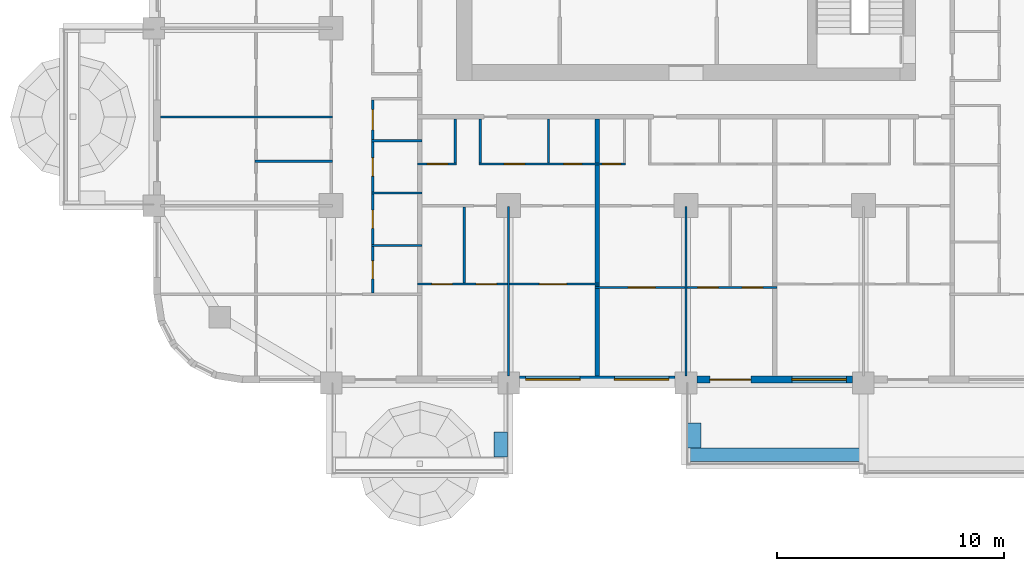
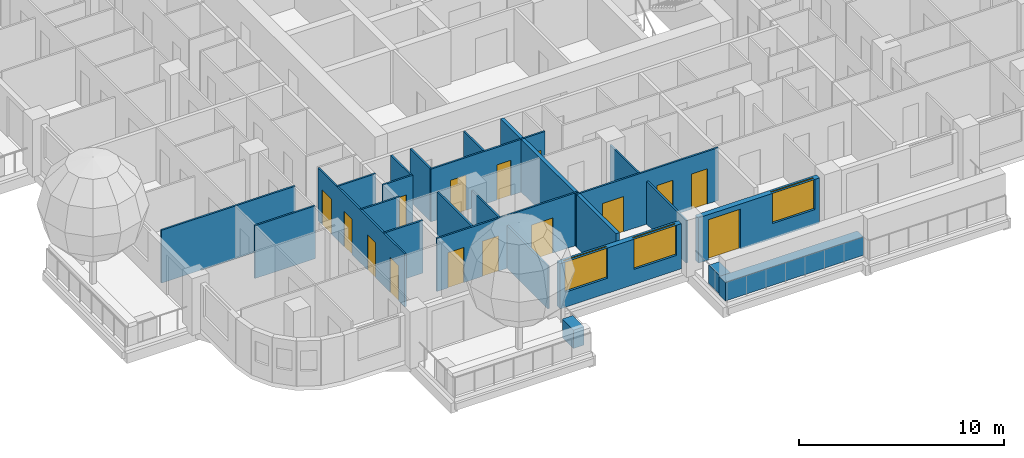
# One storey, part 3 of 19: 22 walls, 15 doors, 3 windows, 18 openings.
"""IFC4 building model written with IfcOpenShell, lengths in metres."""

from ifc_helpers import new_model, si_unit, direction, frame, frame_2d, origin, place, context, subcontext, project, spatial, rectangle, extrude, material, layer, layer_set, type_object, element, fill, save


model = new_model("IFC4")

# Units and contexts
model_context = context("Model", 3, precision=1e-05, world=origin(), true_north=direction((0.0, 1.0)))
body_context = subcontext(model_context, "Body", "Model", "MODEL_VIEW")
ifc_project = project(units=[si_unit("LENGTHUNIT", "METRE"), si_unit("AREAUNIT", "SQUARE_METRE"), si_unit("VOLUMEUNIT", "CUBIC_METRE"), si_unit("PLANEANGLEUNIT", "RADIAN"), si_unit("MASSUNIT", "GRAM", prefix="KILO")], contexts=[model_context])

# Site, building, storey
site_placement = place(None, origin())
site = spatial("IfcSite", under=ifc_project, at=site_placement, CompositionType="ELEMENT")
building_placement = place(site_placement, origin())
building = spatial("IfcBuilding", under=site, at=building_placement, Name="Ludao Terraces", CompositionType="ELEMENT")
storey_placement = place(building_placement, frame((0.0, 0.0, 81.800048828125)))
storey = spatial("IfcBuildingStorey", under=building, at=storey_placement, Name="L22", CompositionType="ELEMENT", Elevation=81.800048828125)

# Walls
ifc_material_1 = material(Name="Concrete C40", Category="concrete")
ifc_layer_1 = layer(ifc_material_1, 0.60009765625)
ifc_layer_set_1 = layer_set([ifc_layer_1], Name="ENV Planter trough 600")
wall_type_1 = type_object("IfcWallType", Name="ENV Planter trough 600", PredefinedType="USERDEFINED", material=ifc_layer_set_1)
wall_1_placement = place(storey_placement, frame((76.85009765625, 38.35009765625, 0.0), z_axis=(0.0, 0.0, 1.0), x_axis=(0.0, 1.0, 0.0)))
element("IfcWall", 1, at=wall_1_placement, inside=storey, type_object=wall_type_1, Name="PL-L22-S1-SB", ObjectType="PLANTER", PredefinedType="USERDEFINED", context=body_context, shape_type="SweptSolid", body=[
    extrude(rectangle(XDim=1.099853515625, YDim=0.60009765625, at=frame_2d((0.5498046875, 0.0))), origin(), (0.0, 0.0, 1.0), 1.099853515625),
])
wall_2_placement = place(storey_placement, frame((85.0, 38.449951171875, 0.0), z_axis=(0.0, 0.0, 1.0), x_axis=(1.0, 0.0, 0.0)))
element("IfcWall", 2, at=wall_2_placement, inside=storey, type_object=wall_type_1, Name="PL-L22-S3", ObjectType="PLANTER", PredefinedType="USERDEFINED", context=body_context, shape_type="SweptSolid", body=[
    extrude(rectangle(XDim=7.800048828125, YDim=0.60009765625, at=frame_2d((3.89990234375, 0.0))), origin(), (0.0, 0.0, 1.0), 1.099853515625),
])
wall_3_placement = place(storey_placement, frame((85.35009765625, 38.75, 0.0), z_axis=(0.0, 0.0, 1.0), x_axis=(0.0, 1.0, 0.0)))
element("IfcWall", 3, at=wall_3_placement, inside=storey, type_object=wall_type_1, Name="PL-L22-S3-SA", ObjectType="PLANTER", PredefinedType="USERDEFINED", context=body_context, shape_type="SweptSolid", body=[
    extrude(rectangle(XDim=1.10009765625, YDim=0.60009765625, at=frame_2d((0.550048828125, 0.0))), origin(), (0.0, 0.0, 1.0), 1.099853515625),
])

# Wall, openings, windows
ifc_material_2 = material(Name="Granite cladding", Category="masonry")
ifc_layer_2 = layer(ifc_material_2, 0.0400390625, Category="stone")
ifc_material_3 = material(Name="Mineral wool")
ifc_layer_3 = layer(ifc_material_3, 0.06005859375)
ifc_layer_4 = layer(ifc_material_1, 0.199951171875, Category="concrete")
ifc_layer_set_2 = layer_set([ifc_layer_2, ifc_layer_3, ifc_layer_4], Name="ENV Stone-clad wall 300")
wall_type_2 = type_object("IfcWallType", Name="ENV Stone-clad wall 300", PredefinedType="SOLIDWALL", material=ifc_layer_set_2)
wall_4_placement = place(storey_placement, frame((77.675048828125, 41.75, 0.0), z_axis=(0.0, 0.0, 1.0), x_axis=(1.0, 0.0, 0.0)))
wall_4 = element("IfcWall", 4, at=wall_4_placement, inside=storey, type_object=wall_type_2, Name="EW-L22-S3", PredefinedType="SOLIDWALL", context=body_context, shape_type="SweptSolid", body=[
    extrude(rectangle(XDim=6.849853515625, YDim=0.300048828125, at=frame_2d((3.4248046875, 0.0))), origin(), (0.0, 0.0, 1.0), 2.699951171875),
])
opening_1_placement = place(wall_4_placement, frame((0.27490234375, 0.0, 0.89990234375)))
opening_1 = element("IfcOpeningElement", 5, at=opening_1_placement, cuts=wall_4, Name="Opening W1", PredefinedType="OPENING", context=body_context, shape_type="SweptSolid", body=[
    extrude(rectangle(XDim=2.39990234375, YDim=1.800048828125, at=frame_2d((1.199951171875, 0.89990234375))), frame((0.0, 0.16015625, 0.0), z_axis=(0.0, -1.0, 0.0), x_axis=(1.0, 0.0, 0.0)), (0.0, 0.0, 1.0), 0.320068359375),
])
opening_2_placement = place(wall_4_placement, frame((4.175048828125, 0.0, 0.89990234375)))
opening_2 = element("IfcOpeningElement", 6, at=opening_2_placement, cuts=wall_4, Name="Opening W1", PredefinedType="OPENING", context=body_context, shape_type="SweptSolid", body=[
    extrude(rectangle(XDim=2.39990234375, YDim=1.800048828125, at=frame_2d((1.199951171875, 0.89990234375))), frame((0.0, 0.16015625, 0.0), z_axis=(0.0, -1.0, 0.0), x_axis=(1.0, 0.0, 0.0)), (0.0, 0.0, 1.0), 0.320068359375),
])
ifc_material_4 = material(Name="Clear glass in aluminium frame", Category="aluminium")
ifc_layer_5 = layer(ifc_material_4, 0.06005859375)
ifc_layer_set_3 = layer_set([ifc_layer_5], Name="ENV Window W1 2400x1800")
window_type = type_object("IfcWindowType", Name="ENV Window W1 2400x1800", PartitioningType="DOUBLE_PANEL_VERTICAL", PredefinedType="WINDOW", material=ifc_layer_set_3)
window_1_placement = place(opening_1_placement, origin())
window_1 = element("IfcWindow", 7, at=window_1_placement, inside=storey, type_object=window_type, Name="W-L22-S3-1", OverallHeight=1.800048828125, OverallWidth=2.39990234375, PartitioningType="DOUBLE_PANEL_VERTICAL", PredefinedType="WINDOW", context=body_context, shape_type="SweptSolid", body=[
    extrude(rectangle(XDim=2.39990234375, YDim=1.800048828125, at=frame_2d((1.199951171875, 0.89990234375))), frame((0.0, 0.030029296875, 0.0), z_axis=(0.0, -1.0, 0.0), x_axis=(1.0, 0.0, 0.0)), (0.0, 0.0, 1.0), 0.06005859375),
])
fill(opening_1, window_1)
window_2_placement = place(opening_2_placement, origin())
window_2 = element("IfcWindow", 8, at=window_2_placement, inside=storey, type_object=window_type, Name="W-L22-S3-2", OverallHeight=1.800048828125, OverallWidth=2.39990234375, PartitioningType="DOUBLE_PANEL_VERTICAL", PredefinedType="WINDOW", context=body_context, shape_type="SweptSolid", body=[
    extrude(rectangle(XDim=2.39990234375, YDim=1.800048828125, at=frame_2d((1.199951171875, 0.89990234375))), frame((0.0, 0.030029296875, 0.0), z_axis=(0.0, -1.0, 0.0), x_axis=(1.0, 0.0, 0.0)), (0.0, 0.0, 1.0), 0.06005859375),
])
fill(opening_2, window_2)

# Wall, openings, door, window
wall_5_placement = place(storey_placement, frame((85.47509765625, 41.75, 0.0), z_axis=(0.0, 0.0, 1.0), x_axis=(1.0, 0.0, 0.0)))
wall_5 = element("IfcWall", 9, at=wall_5_placement, inside=storey, type_object=wall_type_2, Name="EW-L22-S4", PredefinedType="SOLIDWALL", context=body_context, shape_type="SweptSolid", body=[
    extrude(rectangle(XDim=6.849853515625, YDim=0.300048828125, at=frame_2d((3.4248046875, 0.0))), origin(), (0.0, 0.0, 1.0), 2.699951171875),
])
opening_3_placement = place(wall_5_placement, frame((0.574951171875, 0.0, 0.0)))
opening_3 = element("IfcOpeningElement", 10, at=opening_3_placement, cuts=wall_5, Name="Opening BD", PredefinedType="OPENING", context=body_context, shape_type="SweptSolid", body=[
    extrude(rectangle(XDim=1.800048828125, YDim=2.39990234375, at=frame_2d((0.89990234375, 1.199951171875))), frame((0.0, 0.16015625, 0.0), z_axis=(0.0, -1.0, 0.0), x_axis=(1.0, 0.0, 0.0)), (0.0, 0.0, 1.0), 0.320068359375),
])
opening_4_placement = place(wall_5_placement, frame((4.175048828125, 0.0, 0.89990234375)))
opening_4 = element("IfcOpeningElement", 11, at=opening_4_placement, cuts=wall_5, Name="Opening W1", PredefinedType="OPENING", context=body_context, shape_type="SweptSolid", body=[
    extrude(rectangle(XDim=2.39990234375, YDim=1.800048828125, at=frame_2d((1.199951171875, 0.89990234375))), frame((0.0, 0.16015625, 0.0), z_axis=(0.0, -1.0, 0.0), x_axis=(1.0, 0.0, 0.0)), (0.0, 0.0, 1.0), 0.320068359375),
])
ifc_material_5 = material(Name="Aluminium glazed door", Category="aluminium")
ifc_layer_6 = layer(ifc_material_5, 0.06005859375)
ifc_layer_set_4 = layer_set([ifc_layer_6], Name="ENV Balcony door BD 1800x2400")
door_type_1 = type_object("IfcDoorType", Name="ENV Balcony door BD 1800x2400", OperationType="DOUBLE_DOOR_SINGLE_SWING", PredefinedType="DOOR", material=ifc_layer_set_4)
door_1_placement = place(opening_3_placement, origin())
door_1 = element("IfcDoor", 12, at=door_1_placement, inside=storey, type_object=door_type_1, Name="BD-L22-S4-1", OperationType="DOUBLE_DOOR_SINGLE_SWING", OverallHeight=2.39990234375, OverallWidth=1.800048828125, PredefinedType="DOOR", context=body_context, shape_type="SweptSolid", body=[
    extrude(rectangle(XDim=1.800048828125, YDim=2.39990234375, at=frame_2d((0.89990234375, 1.199951171875))), frame((0.0, 0.02490234375, 0.0), z_axis=(0.0, -1.0, 0.0), x_axis=(1.0, 0.0, 0.0)), (0.0, 0.0, 1.0), 0.050048828125),
])
fill(opening_3, door_1)
window_3_placement = place(opening_4_placement, origin())
window_3 = element("IfcWindow", 13, at=window_3_placement, inside=storey, type_object=window_type, Name="W-L22-S4-2", OverallHeight=1.800048828125, OverallWidth=2.39990234375, PartitioningType="DOUBLE_PANEL_VERTICAL", PredefinedType="WINDOW", context=body_context, shape_type="SweptSolid", body=[
    extrude(rectangle(XDim=2.39990234375, YDim=1.800048828125, at=frame_2d((1.199951171875, 0.89990234375))), frame((0.0, 0.030029296875, 0.0), z_axis=(0.0, -1.0, 0.0), x_axis=(1.0, 0.0, 0.0)), (0.0, 0.0, 1.0), 0.06005859375),
])
fill(opening_4, window_3)

# Wall, openings, doors
ifc_material_6 = material(Name="Gypsum plasterboard", Category="gypsum")
ifc_layer_7 = layer(ifc_material_6, 0.012451171875, Category="gypsum")
ifc_layer_8 = layer(ifc_material_3, 0.06005859375, Name="insulation")
ifc_material_7 = material(Name="Steel Q235", Category="steel")
ifc_layer_9 = layer(ifc_material_7, 0.014892578125, Name="stud")
ifc_layer_10 = layer(ifc_material_6, 0.012451171875, Category="gypsum")
ifc_layer_set_5 = layer_set([ifc_layer_7, ifc_layer_8, ifc_layer_9, ifc_layer_10], Name="INT Partition 100")
wall_type_3 = type_object("IfcWallType", Name="INT Partition 100", PredefinedType="PARTITIONING", material=ifc_layer_set_5)
wall_6_placement = place(storey_placement, frame((81.0, 45.800048828125, 0.0), z_axis=(0.0, 0.0, 1.0), x_axis=(1.0, 0.0, 0.0)))
wall_6 = element("IfcWall", 14, at=wall_6_placement, inside=storey, type_object=wall_type_3, Name="PW-L22-PW002", PredefinedType="PARTITIONING", context=body_context, shape_type="SweptSolid", body=[
    extrude(rectangle(XDim=8.0, YDim=0.10009765625, at=frame_2d((4.0, 0.0))), origin(), (0.0, 0.0, 1.0), 3.14990234375),
])
opening_5_placement = place(wall_6_placement, frame((1.4501953125, 0.0, 0.0)))
opening_5 = element("IfcOpeningElement", 15, at=opening_5_placement, cuts=wall_6, Name="Opening R06-007", PredefinedType="OPENING", context=body_context, shape_type="SweptSolid", body=[
    extrude(rectangle(XDim=1.199951171875, YDim=2.10009765625, at=frame_2d((0.60009765625, 1.050048828125))), frame((0.0, 0.06005859375, 0.0), z_axis=(0.0, -1.0, 0.0), x_axis=(1.0, 0.0, 0.0)), (0.0, 0.0, 1.0), 0.1201171875),
])
opening_6_placement = place(wall_6_placement, frame((4.525146484375, 0.0, 0.0)))
opening_6 = element("IfcOpeningElement", 16, at=opening_6_placement, cuts=wall_6, Name="Opening R06-008", PredefinedType="OPENING", context=body_context, shape_type="SweptSolid", body=[
    extrude(rectangle(XDim=0.89990234375, YDim=2.10009765625, at=frame_2d((0.449951171875, 1.050048828125))), frame((0.0, 0.06005859375, 0.0), z_axis=(0.0, -1.0, 0.0), x_axis=(1.0, 0.0, 0.0)), (0.0, 0.0, 1.0), 0.1201171875),
])
opening_7_placement = place(wall_6_placement, frame((6.47509765625, 0.0, 0.0)))
opening_7 = element("IfcOpeningElement", 17, at=opening_7_placement, cuts=wall_6, Name="Opening R06-009", PredefinedType="OPENING", context=body_context, shape_type="SweptSolid", body=[
    extrude(rectangle(XDim=0.89990234375, YDim=2.10009765625, at=frame_2d((0.449951171875, 1.050048828125))), frame((0.0, 0.06005859375, 0.0), z_axis=(0.0, -1.0, 0.0), x_axis=(1.0, 0.0, 0.0)), (0.0, 0.0, 1.0), 0.1201171875),
])
ifc_material_8 = material(Name="Timber door leaf", Category="wood")
door_type_2 = type_object("IfcDoorType", Name="INT Bathroom door 900", OperationType="SINGLE_SWING_LEFT", PredefinedType="DOOR", material=ifc_material_8)
door_2_placement = place(opening_6_placement, origin())
door_2 = element("IfcDoor", 18, at=door_2_placement, inside=storey, type_object=door_type_2, Name="DOOR 008", OperationType="SINGLE_SWING_LEFT", OverallHeight=2.10009765625, OverallWidth=0.89990234375, PredefinedType="DOOR", context=body_context, shape_type="SweptSolid", body=[
    extrude(rectangle(XDim=0.89990234375, YDim=2.10009765625, at=frame_2d((0.449951171875, 1.050048828125))), frame((0.0, 0.02490234375, 0.0), z_axis=(0.0, -1.0, 0.0), x_axis=(1.0, 0.0, 0.0)), (0.0, 0.0, 1.0), 0.050048828125),
])
fill(opening_6, door_2)
door_type_3 = type_object("IfcDoorType", Name="INT Double door 1200", OperationType="DOUBLE_DOOR_SINGLE_SWING", PredefinedType="DOOR", material=ifc_material_8)
door_3_placement = place(opening_5_placement, origin())
door_3 = element("IfcDoor", 19, at=door_3_placement, inside=storey, type_object=door_type_3, Name="DOOR 007", OperationType="DOUBLE_DOOR_SINGLE_SWING", OverallHeight=2.10009765625, OverallWidth=1.199951171875, PredefinedType="DOOR", context=body_context, shape_type="SweptSolid", body=[
    extrude(rectangle(XDim=1.199951171875, YDim=2.10009765625, at=frame_2d((0.60009765625, 1.050048828125))), frame((0.0, 0.02490234375, 0.0), z_axis=(0.0, -1.0, 0.0), x_axis=(1.0, 0.0, 0.0)), (0.0, 0.0, 1.0), 0.050048828125),
])
fill(opening_5, door_3)
door_type_4 = type_object("IfcDoorType", Name="INT Room door 900", OperationType="SINGLE_SWING_LEFT", PredefinedType="DOOR", material=ifc_material_8)
door_4_placement = place(opening_7_placement, origin())
door_4 = element("IfcDoor", 20, at=door_4_placement, inside=storey, type_object=door_type_4, Name="DOOR 009", OperationType="SINGLE_SWING_RIGHT", OverallHeight=2.10009765625, OverallWidth=0.89990234375, PredefinedType="DOOR", context=body_context, shape_type="SweptSolid", body=[
    extrude(rectangle(XDim=0.89990234375, YDim=2.10009765625, at=frame_2d((0.449951171875, 1.050048828125))), frame((0.0, 0.02490234375, 0.0), z_axis=(0.0, -1.0, 0.0), x_axis=(1.0, 0.0, 0.0)), (0.0, 0.0, 1.0), 0.050048828125),
])
fill(opening_7, door_4)

wall_7_placement = place(storey_placement, frame((73.2001953125, 45.949951171875, 0.0), z_axis=(0.0, 0.0, 1.0), x_axis=(1.0, 0.0, 0.0)))
wall_7 = element("IfcWall", 21, at=wall_7_placement, inside=storey, type_object=wall_type_3, Name="PW-L22-PW003", PredefinedType="PARTITIONING", context=body_context, shape_type="SweptSolid", body=[
    extrude(rectangle(XDim=8.0, YDim=0.10009765625, at=frame_2d((4.0, 0.0))), origin(), (0.0, 0.0, 1.0), 3.14990234375),
])
opening_8_placement = place(wall_7_placement, frame((0.625, 0.0, 0.0)))
opening_8 = element("IfcOpeningElement", 22, at=opening_8_placement, cuts=wall_7, Name="Opening R06-010", PredefinedType="OPENING", context=body_context, shape_type="SweptSolid", body=[
    extrude(rectangle(XDim=0.89990234375, YDim=2.10009765625, at=frame_2d((0.449951171875, 1.050048828125))), frame((0.0, 0.06005859375, 0.0), z_axis=(0.0, -1.0, 0.0), x_axis=(1.0, 0.0, 0.0)), (0.0, 0.0, 1.0), 0.1201171875),
])
opening_9_placement = place(wall_7_placement, frame((2.574951171875, 0.0, 0.0)))
opening_9 = element("IfcOpeningElement", 23, at=opening_9_placement, cuts=wall_7, Name="Opening R06-011", PredefinedType="OPENING", context=body_context, shape_type="SweptSolid", body=[
    extrude(rectangle(XDim=0.89990234375, YDim=2.10009765625, at=frame_2d((0.449951171875, 1.050048828125))), frame((0.0, 0.06005859375, 0.0), z_axis=(0.0, -1.0, 0.0), x_axis=(1.0, 0.0, 0.0)), (0.0, 0.0, 1.0), 0.1201171875),
])
opening_10_placement = place(wall_7_placement, frame((5.349853515625, 0.0, 0.0)))
opening_10 = element("IfcOpeningElement", 24, at=opening_10_placement, cuts=wall_7, Name="Opening R06-012", PredefinedType="OPENING", context=body_context, shape_type="SweptSolid", body=[
    extrude(rectangle(XDim=1.199951171875, YDim=2.10009765625, at=frame_2d((0.60009765625, 1.050048828125))), frame((0.0, 0.06005859375, 0.0), z_axis=(0.0, -1.0, 0.0), x_axis=(1.0, 0.0, 0.0)), (0.0, 0.0, 1.0), 0.1201171875),
])
door_5_placement = place(opening_8_placement, origin())
door_5 = element("IfcDoor", 25, at=door_5_placement, inside=storey, type_object=door_type_2, Name="DOOR 010", OperationType="SINGLE_SWING_LEFT", OverallHeight=2.10009765625, OverallWidth=0.89990234375, PredefinedType="DOOR", context=body_context, shape_type="SweptSolid", body=[
    extrude(rectangle(XDim=0.89990234375, YDim=2.10009765625, at=frame_2d((0.449951171875, 1.050048828125))), frame((0.0, 0.02490234375, 0.0), z_axis=(0.0, -1.0, 0.0), x_axis=(1.0, 0.0, 0.0)), (0.0, 0.0, 1.0), 0.050048828125),
])
fill(opening_8, door_5)
door_6_placement = place(opening_10_placement, origin())
door_6 = element("IfcDoor", 26, at=door_6_placement, inside=storey, type_object=door_type_3, Name="DOOR 012", OperationType="DOUBLE_DOOR_SINGLE_SWING", OverallHeight=2.10009765625, OverallWidth=1.199951171875, PredefinedType="DOOR", context=body_context, shape_type="SweptSolid", body=[
    extrude(rectangle(XDim=1.199951171875, YDim=2.10009765625, at=frame_2d((0.60009765625, 1.050048828125))), frame((0.0, 0.02490234375, 0.0), z_axis=(0.0, -1.0, 0.0), x_axis=(1.0, 0.0, 0.0)), (0.0, 0.0, 1.0), 0.050048828125),
])
fill(opening_10, door_6)
door_7_placement = place(opening_9_placement, origin())
door_7 = element("IfcDoor", 27, at=door_7_placement, inside=storey, type_object=door_type_4, Name="DOOR 011", OperationType="SINGLE_SWING_LEFT", OverallHeight=2.10009765625, OverallWidth=0.89990234375, PredefinedType="DOOR", context=body_context, shape_type="SweptSolid", body=[
    extrude(rectangle(XDim=0.89990234375, YDim=2.10009765625, at=frame_2d((0.449951171875, 1.050048828125))), frame((0.0, 0.02490234375, 0.0), z_axis=(0.0, -1.0, 0.0), x_axis=(1.0, 0.0, 0.0)), (0.0, 0.0, 1.0), 0.050048828125),
])
fill(opening_9, door_7)

# Walls
for number, where, z_axis, x_axis, name in (
    (28, (71.18017578125, 47.64990234375, 0.0), (0.0, 0.0, 1.0), (1.0, 0.0, 0.0), "PW-L22-PW006"),
    (29, (71.18017578125, 49.949951171875, 0.0), (0.0, 0.0, 1.0), (1.0, 0.0, 0.0), "PW-L22-PW011"),
):
    element("IfcWall", number, at=place(storey_placement, frame(where, z_axis=z_axis, x_axis=x_axis)), inside=storey, type_object=wall_type_3, Name=name, PredefinedType="PARTITIONING", context=body_context, shape_type="SweptSolid", body=[
        extrude(rectangle(XDim=2.219970703125, YDim=0.10009765625, at=frame_2d((1.10986328125, 0.0))), origin(), (0.0, 0.0, 1.0), 3.14990234375),
    ])

# Wall, opening, door
wall_8_placement = place(storey_placement, frame((73.2001953125, 51.22998046875, 0.0), z_axis=(0.0, 0.0, 1.0), x_axis=(1.0, 0.0, 0.0)))
wall_8 = element("IfcWall", 30, at=wall_8_placement, inside=storey, type_object=wall_type_3, Name="PW-L22-PW013", PredefinedType="PARTITIONING", context=body_context, shape_type="SweptSolid", body=[
    extrude(rectangle(XDim=1.699951171875, YDim=0.10009765625, at=frame_2d((0.85009765625, 0.0))), origin(), (0.0, 0.0, 1.0), 3.14990234375),
])
opening_11_placement = place(wall_8_placement, frame((0.4248046875, 0.0, 0.0)))
opening_11 = element("IfcOpeningElement", 31, at=opening_11_placement, cuts=wall_8, Name="Opening R06-033", PredefinedType="OPENING", context=body_context, shape_type="SweptSolid", body=[
    extrude(rectangle(XDim=0.89990234375, YDim=2.10009765625, at=frame_2d((0.449951171875, 1.050048828125))), frame((0.0, 0.06005859375, 0.0), z_axis=(0.0, -1.0, 0.0), x_axis=(1.0, 0.0, 0.0)), (0.0, 0.0, 1.0), 0.1201171875),
])
door_8_placement = place(opening_11_placement, origin())
door_8 = element("IfcDoor", 32, at=door_8_placement, inside=storey, type_object=door_type_2, Name="DOOR 033", OperationType="SINGLE_SWING_LEFT", OverallHeight=2.10009765625, OverallWidth=0.89990234375, PredefinedType="DOOR", context=body_context, shape_type="SweptSolid", body=[
    extrude(rectangle(XDim=0.89990234375, YDim=2.10009765625, at=frame_2d((0.449951171875, 1.050048828125))), frame((0.0, 0.02490234375, 0.0), z_axis=(0.0, -1.0, 0.0), x_axis=(1.0, 0.0, 0.0)), (0.0, 0.0, 1.0), 0.050048828125),
])
fill(opening_11, door_8)

# Wall, openings, doors
wall_9_placement = place(storey_placement, frame((75.900146484375, 51.22998046875, 0.0), z_axis=(0.0, 0.0, 1.0), x_axis=(1.0, 0.0, 0.0)))
wall_9 = element("IfcWall", 33, at=wall_9_placement, inside=storey, type_object=wall_type_3, Name="PW-L22-PW014", PredefinedType="PARTITIONING", context=body_context, shape_type="SweptSolid", body=[
    extrude(rectangle(XDim=6.449951171875, YDim=0.10009765625, at=frame_2d((3.22509765625, 0.0))), origin(), (0.0, 0.0, 1.0), 3.14990234375),
])
opening_12_placement = place(wall_9_placement, frame((1.10009765625, 0.0, 0.0)))
opening_12 = element("IfcOpeningElement", 34, at=opening_12_placement, cuts=wall_9, Name="Opening R06-034", PredefinedType="OPENING", context=body_context, shape_type="SweptSolid", body=[
    extrude(rectangle(XDim=0.89990234375, YDim=2.10009765625, at=frame_2d((0.449951171875, 1.050048828125))), frame((0.0, 0.06005859375, 0.0), z_axis=(0.0, -1.0, 0.0), x_axis=(1.0, 0.0, 0.0)), (0.0, 0.0, 1.0), 0.1201171875),
])
opening_13_placement = place(wall_9_placement, frame((3.72509765625, 0.0, 0.0)))
opening_13 = element("IfcOpeningElement", 35, at=opening_13_placement, cuts=wall_9, Name="Opening R06-035", PredefinedType="OPENING", context=body_context, shape_type="SweptSolid", body=[
    extrude(rectangle(XDim=0.800048828125, YDim=2.10009765625, at=frame_2d((0.39990234375, 1.050048828125))), frame((0.0, 0.06005859375, 0.0), z_axis=(0.0, -1.0, 0.0), x_axis=(1.0, 0.0, 0.0)), (0.0, 0.0, 1.0), 0.1201171875),
])
opening_14_placement = place(wall_9_placement, frame((5.425048828125, 0.0, 0.0)))
opening_14 = element("IfcOpeningElement", 36, at=opening_14_placement, cuts=wall_9, Name="Opening R06-036", PredefinedType="OPENING", context=body_context, shape_type="SweptSolid", body=[
    extrude(rectangle(XDim=0.800048828125, YDim=2.10009765625, at=frame_2d((0.39990234375, 1.050048828125))), frame((0.0, 0.06005859375, 0.0), z_axis=(0.0, -1.0, 0.0), x_axis=(1.0, 0.0, 0.0)), (0.0, 0.0, 1.0), 0.1201171875),
])
door_9_placement = place(opening_12_placement, origin())
door_9 = element("IfcDoor", 37, at=door_9_placement, inside=storey, type_object=door_type_4, Name="DOOR 034", OperationType="SINGLE_SWING_LEFT", OverallHeight=2.10009765625, OverallWidth=0.89990234375, PredefinedType="DOOR", context=body_context, shape_type="SweptSolid", body=[
    extrude(rectangle(XDim=0.89990234375, YDim=2.10009765625, at=frame_2d((0.449951171875, 1.050048828125))), frame((0.0, 0.02490234375, 0.0), z_axis=(0.0, -1.0, 0.0), x_axis=(1.0, 0.0, 0.0)), (0.0, 0.0, 1.0), 0.050048828125),
])
fill(opening_12, door_9)
door_type_5 = type_object("IfcDoorType", Name="INT Store door 800", OperationType="SINGLE_SWING_LEFT", PredefinedType="DOOR", material=ifc_material_8)
door_10_placement = place(opening_13_placement, origin())
door_10 = element("IfcDoor", 38, at=door_10_placement, inside=storey, type_object=door_type_5, Name="DOOR 035", OperationType="SINGLE_SWING_RIGHT", OverallHeight=2.10009765625, OverallWidth=0.800048828125, PredefinedType="DOOR", context=body_context, shape_type="SweptSolid", body=[
    extrude(rectangle(XDim=0.800048828125, YDim=2.10009765625, at=frame_2d((0.39990234375, 1.050048828125))), frame((0.0, 0.02490234375, 0.0), z_axis=(0.0, -1.0, 0.0), x_axis=(1.0, 0.0, 0.0)), (0.0, 0.0, 1.0), 0.050048828125),
])
fill(opening_13, door_10)
door_11_placement = place(opening_14_placement, origin())
door_11 = element("IfcDoor", 39, at=door_11_placement, inside=storey, type_object=door_type_5, Name="DOOR 036", OperationType="SINGLE_SWING_LEFT", OverallHeight=2.10009765625, OverallWidth=0.800048828125, PredefinedType="DOOR", context=body_context, shape_type="SweptSolid", body=[
    extrude(rectangle(XDim=0.800048828125, YDim=2.10009765625, at=frame_2d((0.39990234375, 1.050048828125))), frame((0.0, 0.02490234375, 0.0), z_axis=(0.0, -1.0, 0.0), x_axis=(1.0, 0.0, 0.0)), (0.0, 0.0, 1.0), 0.050048828125),
])
fill(opening_14, door_11)

# Walls
wall_10_placement = place(storey_placement, frame((66.050048828125, 51.35009765625, 0.0), z_axis=(0.0, 0.0, 1.0), x_axis=(1.0, 0.0, 0.0)))
element("IfcWall", 40, at=wall_10_placement, inside=storey, type_object=wall_type_3, Name="PW-L22-PW017", PredefinedType="PARTITIONING", context=body_context, shape_type="SweptSolid", body=[
    extrude(rectangle(XDim=3.400146484375, YDim=0.10009765625, at=frame_2d((1.7001953125, 0.0))), origin(), (0.0, 0.0, 1.0), 3.14990234375),
])
wall_11_placement = place(storey_placement, frame((71.18017578125, 52.25, 0.0), z_axis=(0.0, 0.0, 1.0), x_axis=(1.0, 0.0, 0.0)))
element("IfcWall", 41, at=wall_11_placement, inside=storey, type_object=wall_type_3, Name="PW-L22-PW018", PredefinedType="PARTITIONING", context=body_context, shape_type="SweptSolid", body=[
    extrude(rectangle(XDim=2.219970703125, YDim=0.10009765625, at=frame_2d((1.10986328125, 0.0))), origin(), (0.0, 0.0, 1.0), 3.14990234375),
])
wall_12_placement = place(storey_placement, frame((61.900146484375, 53.300048828125, 0.0), z_axis=(0.0, 0.0, 1.0), x_axis=(1.0, 0.0, 0.0)))
element("IfcWall", 42, at=wall_12_placement, inside=storey, type_object=wall_type_3, Name="PW-L22-PW019", PredefinedType="PARTITIONING", context=body_context, shape_type="SweptSolid", body=[
    extrude(rectangle(XDim=7.550048828125, YDim=0.10009765625, at=frame_2d((3.77490234375, 0.0))), origin(), (0.0, 0.0, 1.0), 3.14990234375),
])

# Wall, openings, doors
wall_13_placement = place(storey_placement, frame((71.22998046875, 45.550048828125, 0.0), z_axis=(0.0, 0.0, 1.0), x_axis=(0.0, 1.0, 0.0)))
wall_13 = element("IfcWall", 43, at=wall_13_placement, inside=storey, type_object=wall_type_3, Name="PW-L22-PW084", PredefinedType="PARTITIONING", context=body_context, shape_type="SweptSolid", body=[
    extrude(rectangle(XDim=8.5, YDim=0.10009765625, at=frame_2d((4.25, 0.0))), origin(), (0.0, 0.0, 1.0), 3.14990234375),
])
opening_15_placement = place(wall_13_placement, frame((0.625, 0.0, 0.0)))
opening_15 = element("IfcOpeningElement", 44, at=opening_15_placement, cuts=wall_13, Name="Opening R06-017", PredefinedType="OPENING", context=body_context, shape_type="SweptSolid", body=[
    extrude(rectangle(XDim=0.800048828125, YDim=2.10009765625, at=frame_2d((0.39990234375, 1.050048828125))), frame((0.0, 0.06005859375, 0.0), z_axis=(0.0, -1.0, 0.0), x_axis=(1.0, 0.0, 0.0)), (0.0, 0.0, 1.0), 0.1201171875),
])
opening_16_placement = place(wall_13_placement, frame((2.85009765625, 0.0, 0.0)))
opening_16 = element("IfcOpeningElement", 45, at=opening_16_placement, cuts=wall_13, Name="Opening R06-023", PredefinedType="OPENING", context=body_context, shape_type="SweptSolid", body=[
    extrude(rectangle(XDim=0.800048828125, YDim=2.10009765625, at=frame_2d((0.39990234375, 1.050048828125))), frame((0.0, 0.06005859375, 0.0), z_axis=(0.0, -1.0, 0.0), x_axis=(1.0, 0.0, 0.0)), (0.0, 0.0, 1.0), 0.1201171875),
])
opening_17_placement = place(wall_13_placement, frame((5.14990234375, 0.0, 0.0)))
opening_17 = element("IfcOpeningElement", 46, at=opening_17_placement, cuts=wall_13, Name="Opening R06-032", PredefinedType="OPENING", context=body_context, shape_type="SweptSolid", body=[
    extrude(rectangle(XDim=0.800048828125, YDim=2.10009765625, at=frame_2d((0.39990234375, 1.050048828125))), frame((0.0, 0.06005859375, 0.0), z_axis=(0.0, -1.0, 0.0), x_axis=(1.0, 0.0, 0.0)), (0.0, 0.0, 1.0), 0.1201171875),
])
opening_18_placement = place(wall_13_placement, frame((7.175048828125, 0.0, 0.0)))
opening_18 = element("IfcOpeningElement", 47, at=opening_18_placement, cuts=wall_13, Name="Opening R06-047", PredefinedType="OPENING", context=body_context, shape_type="SweptSolid", body=[
    extrude(rectangle(XDim=0.89990234375, YDim=2.10009765625, at=frame_2d((0.449951171875, 1.050048828125))), frame((0.0, 0.06005859375, 0.0), z_axis=(0.0, -1.0, 0.0), x_axis=(1.0, 0.0, 0.0)), (0.0, 0.0, 1.0), 0.1201171875),
])
door_12_placement = place(opening_18_placement, origin())
door_12 = element("IfcDoor", 48, at=door_12_placement, inside=storey, type_object=door_type_2, Name="DOOR 047", OperationType="SINGLE_SWING_LEFT", OverallHeight=2.10009765625, OverallWidth=0.89990234375, PredefinedType="DOOR", context=body_context, shape_type="SweptSolid", body=[
    extrude(rectangle(XDim=0.89990234375, YDim=2.10009765625, at=frame_2d((0.449951171875, 1.050048828125))), frame((0.0, 0.02490234375, 0.0), z_axis=(0.0, -1.0, 0.0), x_axis=(1.0, 0.0, 0.0)), (0.0, 0.0, 1.0), 0.050048828125),
])
fill(opening_18, door_12)
door_13_placement = place(opening_15_placement, origin())
door_13 = element("IfcDoor", 49, at=door_13_placement, inside=storey, type_object=door_type_5, Name="DOOR 017", OperationType="SINGLE_SWING_RIGHT", OverallHeight=2.10009765625, OverallWidth=0.800048828125, PredefinedType="DOOR", context=body_context, shape_type="SweptSolid", body=[
    extrude(rectangle(XDim=0.800048828125, YDim=2.10009765625, at=frame_2d((0.39990234375, 1.050048828125))), frame((0.0, 0.02490234375, 0.0), z_axis=(0.0, -1.0, 0.0), x_axis=(1.0, 0.0, 0.0)), (0.0, 0.0, 1.0), 0.050048828125),
])
fill(opening_15, door_13)
door_14_placement = place(opening_16_placement, origin())
door_14 = element("IfcDoor", 50, at=door_14_placement, inside=storey, type_object=door_type_5, Name="DOOR 023", OperationType="SINGLE_SWING_RIGHT", OverallHeight=2.10009765625, OverallWidth=0.800048828125, PredefinedType="DOOR", context=body_context, shape_type="SweptSolid", body=[
    extrude(rectangle(XDim=0.800048828125, YDim=2.10009765625, at=frame_2d((0.39990234375, 1.050048828125))), frame((0.0, 0.02490234375, 0.0), z_axis=(0.0, -1.0, 0.0), x_axis=(1.0, 0.0, 0.0)), (0.0, 0.0, 1.0), 0.050048828125),
])
fill(opening_16, door_14)
door_15_placement = place(opening_17_placement, origin())
door_15 = element("IfcDoor", 51, at=door_15_placement, inside=storey, type_object=door_type_5, Name="DOOR 032", OperationType="SINGLE_SWING_RIGHT", OverallHeight=2.10009765625, OverallWidth=0.800048828125, PredefinedType="DOOR", context=body_context, shape_type="SweptSolid", body=[
    extrude(rectangle(XDim=0.800048828125, YDim=2.10009765625, at=frame_2d((0.39990234375, 1.050048828125))), frame((0.0, 0.02490234375, 0.0), z_axis=(0.0, -1.0, 0.0), x_axis=(1.0, 0.0, 0.0)), (0.0, 0.0, 1.0), 0.050048828125),
])
fill(opening_17, door_15)

# Walls
wall_14_placement = place(storey_placement, frame((74.85009765625, 51.280029296875, 0.0), z_axis=(0.0, 0.0, 1.0), x_axis=(0.0, 1.0, 0.0)))
element("IfcWall", 52, at=wall_14_placement, inside=storey, type_object=wall_type_3, Name="PW-L22-PW091", PredefinedType="PARTITIONING", context=body_context, shape_type="SweptSolid", body=[
    extrude(rectangle(XDim=1.920166015625, YDim=0.10009765625, at=frame_2d((0.9599609375, 0.0))), origin(), (0.0, 0.0, 1.0), 3.14990234375),
])
wall_15_placement = place(storey_placement, frame((75.25, 46.0, 0.0), z_axis=(0.0, 0.0, 1.0), x_axis=(0.0, 1.0, 0.0)))
element("IfcWall", 53, at=wall_15_placement, inside=storey, type_object=wall_type_3, Name="PW-L22-PW092", PredefinedType="PARTITIONING", context=body_context, shape_type="SweptSolid", body=[
    extrude(rectangle(XDim=3.35009765625, YDim=0.10009765625, at=frame_2d((1.675048828125, 0.0))), origin(), (0.0, 0.0, 1.0), 3.14990234375),
])
wall_16_placement = place(storey_placement, frame((75.949951171875, 51.280029296875, 0.0), z_axis=(0.0, 0.0, 1.0), x_axis=(0.0, 1.0, 0.0)))
element("IfcWall", 54, at=wall_16_placement, inside=storey, type_object=wall_type_3, Name="PW-L22-PW093", PredefinedType="PARTITIONING", context=body_context, shape_type="SweptSolid", body=[
    extrude(rectangle(XDim=1.920166015625, YDim=0.10009765625, at=frame_2d((0.9599609375, 0.0))), origin(), (0.0, 0.0, 1.0), 3.14990234375),
])
wall_17_placement = place(storey_placement, frame((77.199951171875, 41.900146484375, 0.0), z_axis=(0.0, 0.0, 1.0), x_axis=(0.0, 1.0, 0.0)))
element("IfcWall", 55, at=wall_17_placement, inside=storey, type_object=wall_type_3, Name="PW-L22-PW094", PredefinedType="PARTITIONING", context=body_context, shape_type="SweptSolid", body=[
    extrude(rectangle(XDim=7.449951171875, YDim=0.10009765625, at=frame_2d((3.72509765625, 0.0))), origin(), (0.0, 0.0, 1.0), 2.5498046875),
])
wall_18_placement = place(storey_placement, frame((78.949951171875, 51.280029296875, 0.0), z_axis=(0.0, 0.0, 1.0), x_axis=(0.0, 1.0, 0.0)))
element("IfcWall", 56, at=wall_18_placement, inside=storey, type_object=wall_type_3, Name="PW-L22-PW096", PredefinedType="PARTITIONING", context=body_context, shape_type="SweptSolid", body=[
    extrude(rectangle(XDim=1.920166015625, YDim=0.10009765625, at=frame_2d((0.9599609375, 0.0))), origin(), (0.0, 0.0, 1.0), 3.14990234375),
])
wall_19_placement = place(storey_placement, frame((85.0, 41.900146484375, 0.0), z_axis=(0.0, 0.0, 1.0), x_axis=(0.0, 1.0, 0.0)))
element("IfcWall", 57, at=wall_19_placement, inside=storey, type_object=wall_type_3, Name="PW-L22-PW102", PredefinedType="PARTITIONING", context=body_context, shape_type="SweptSolid", body=[
    extrude(rectangle(XDim=7.449951171875, YDim=0.10009765625, at=frame_2d((3.72509765625, 0.0))), origin(), (0.0, 0.0, 1.0), 2.5498046875),
])
ifc_material_9 = material(Name="Autoclaved aerated concrete block B06 A3.5", Category="concrete")
ifc_layer_11 = layer(ifc_material_9, 0.199951171875)
ifc_layer_set_6 = layer_set([ifc_layer_11], Name="INT Party wall 200")
wall_type_4 = type_object("IfcWallType", Name="INT Party wall 200", PredefinedType="PARTITIONING", material=ifc_layer_set_6)
wall_20_placement = place(storey_placement, frame((81.10009765625, 41.900146484375, 0.0), z_axis=(0.0, 0.0, 1.0), x_axis=(0.0, 1.0, 0.0)))
element("IfcWall", 58, at=wall_20_placement, inside=storey, type_object=wall_type_4, Name="PW-L22-PW098", PredefinedType="PARTITIONING", context=body_context, shape_type="SweptSolid", body=[
    extrude(rectangle(XDim=11.300048828125, YDim=0.199951171875, at=frame_2d((5.64990234375, 0.0))), origin(), (0.0, 0.0, 1.0), 3.14990234375),
])

save(model, "model.ifc")
